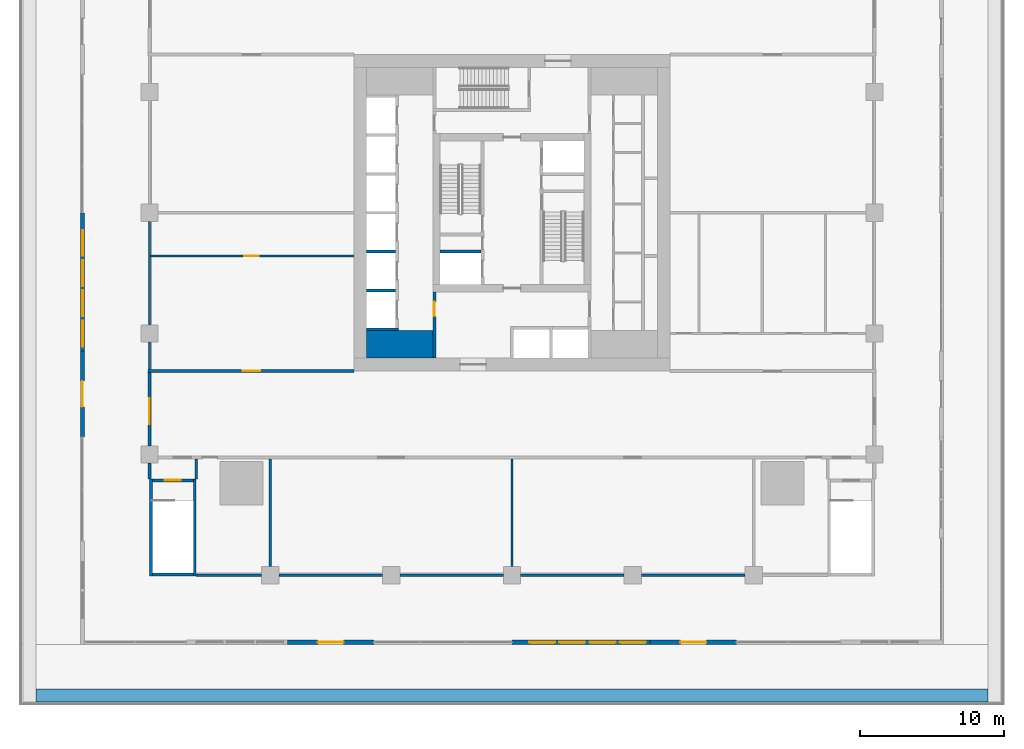
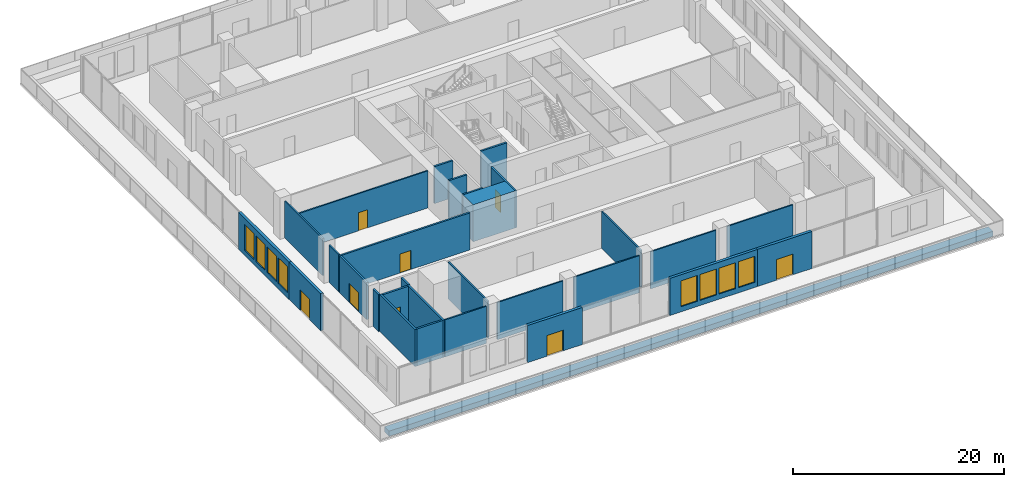
# One storey, part 12 of 22: 30 walls, 8 doors, 8 windows, 16 openings.
"""IFC4 building model written with IfcOpenShell, lengths in metres."""

from ifc_helpers import new_model, si_unit, direction, frame, frame_2d, origin, place, context, subcontext, project, spatial, rectangle, extrude, material, layer, layer_set, type_object, element, fill, save


model = new_model("IFC4")

# Units and contexts
model_context = context("Model", 3, precision=1e-05, world=origin(), true_north=direction((0.0, 1.0)))
body_context = subcontext(model_context, "Body", "Model", "MODEL_VIEW")
ifc_project = project(units=[si_unit("LENGTHUNIT", "METRE"), si_unit("AREAUNIT", "SQUARE_METRE"), si_unit("VOLUMEUNIT", "CUBIC_METRE"), si_unit("PLANEANGLEUNIT", "RADIAN"), si_unit("MASSUNIT", "GRAM", prefix="KILO")], contexts=[model_context])

# Site, building, storey
site_placement = place(None, origin())
site = spatial("IfcSite", under=ifc_project, at=site_placement, CompositionType="ELEMENT")
building_placement = place(site_placement, origin())
building = spatial("IfcBuilding", under=site, at=building_placement, Name="Khepri Terraces", CompositionType="ELEMENT")
storey_placement = place(building_placement, frame((0.0, 0.0, 22.199951171875)))
storey = spatial("IfcBuildingStorey", under=building, at=storey_placement, Name="L04", CompositionType="ELEMENT", Elevation=22.199951171875)

# Walls
ifc_material_1 = material(Name="Concrete C80/95", Category="concrete")
ifc_layer_1 = layer(ifc_material_1, 1.89990234375, Name="Concrete C80/95", Category="concrete")
ifc_layer_set_1 = layer_set([ifc_layer_1], Name="Concrete C80/95")
wall_type_1 = type_object("IfcWallType", Name="Core wall 1900 C80/95", PredefinedType="SHEAR", material=ifc_layer_set_1)
wall_1_placement = place(storey_placement, frame((-10.10009765625, -9.14990234375, 0.0), z_axis=(0.0, 0.0, 1.0), x_axis=(1.0, 0.0, 0.0)))
element("IfcWall", 1, at=wall_1_placement, inside=storey, type_object=wall_type_1, Name="Core wall PR01 L04", PredefinedType="SHEAR", context=body_context, shape_type="SweptSolid", body=[
    extrude(rectangle(XDim=4.60009765625, YDim=1.89990234375, at=frame_2d((2.300048828125, 0.0))), origin(), (0.0, 0.0, 1.0), 4.300048828125),
])
ifc_layer_2 = layer(ifc_material_1, 0.199951171875, Name="Concrete C80/95", Category="concrete")
ifc_layer_set_2 = layer_set([ifc_layer_2], Name="Concrete C80/95")
wall_type_2 = type_object("IfcWallType", Name="Core wall 200 C80/95", PredefinedType="SHEAR", material=ifc_layer_set_2)
wall_2_placement = place(storey_placement, frame((-10.10009765625, -8.10009765625, 0.0), z_axis=(0.0, 0.0, 1.0), x_axis=(1.0, 0.0, 0.0)))
element("IfcWall", 2, at=wall_2_placement, inside=storey, type_object=wall_type_2, Name="Core wall SH04 L04", PredefinedType="SHEAR", context=body_context, shape_type="SweptSolid", body=[
    extrude(rectangle(XDim=2.2001953125, YDim=0.199951171875, at=frame_2d((1.10009765625, 0.0))), origin(), (0.0, 0.0, 1.0), 4.300048828125),
])
for number, where, z_axis, x_axis, name in (
    (3, (-10.10009765625, -5.39990234375, 0.0), (0.0, 0.0, 1.0), (1.0, 0.0, 0.0), "Core wall SH09 L04"),
    (4, (-10.10009765625, -2.699951171875, 0.0), (0.0, 0.0, 1.0), (1.0, 0.0, 0.0), "Core wall SH12 L04"),
):
    element("IfcWall", number, at=place(storey_placement, frame(where, z_axis=z_axis, x_axis=x_axis)), inside=storey, type_object=wall_type_2, Name=name, PredefinedType="SHEAR", context=body_context, shape_type="SweptSolid", body=[
        extrude(rectangle(XDim=2.0, YDim=0.199951171875, at=frame_2d((1.0, 0.0))), origin(), (0.0, 0.0, 1.0), 4.300048828125),
    ])
wall_3_placement = place(storey_placement, frame((-5.0, -2.699951171875, 0.0), z_axis=(0.0, 0.0, 1.0), x_axis=(1.0, 0.0, 0.0)))
element("IfcWall", 5, at=wall_3_placement, inside=storey, type_object=wall_type_2, Name="Core wall SH13 L04", PredefinedType="SHEAR", context=body_context, shape_type="SweptSolid", body=[
    extrude(rectangle(XDim=2.85009765625, YDim=0.199951171875, at=frame_2d((1.425048828125, 0.0))), origin(), (0.0, 0.0, 1.0), 4.300048828125),
])

# Wall, opening, door
ifc_material_2 = material(Name="Fire-rated gypsum board partition")
ifc_layer_3 = layer(ifc_material_2, 0.199951171875, Name="Fire-rated gypsum board partition")
ifc_layer_set_3 = layer_set([ifc_layer_3], Name="Fire-rated gypsum board partition")
wall_type_3 = type_object("IfcWallType", Name="WL-CORE-PART-200", PredefinedType="PARTITIONING", material=ifc_layer_set_3)
wall_4_placement = place(storey_placement, frame((-5.39990234375, -10.10009765625, 0.0), z_axis=(0.0, 0.0, 1.0), x_axis=(0.0, 1.0, 0.0)))
wall_4 = element("IfcWall", 6, at=wall_4_placement, inside=storey, type_object=wall_type_3, Name="Core partition PT01 L04", PredefinedType="PARTITIONING", context=body_context, shape_type="SweptSolid", body=[
    extrude(rectangle(XDim=4.60009765625, YDim=0.199951171875, at=frame_2d((2.300048828125, 0.0))), origin(), (0.0, 0.0, 1.0), 4.300048828125),
])
opening_1_placement = place(wall_4_placement, frame((2.89990234375, 0.0, 0.0)))
opening_1 = element("IfcOpeningElement", 7, at=opening_1_placement, cuts=wall_4, Name="Opening L04-C18", PredefinedType="OPENING", context=body_context, shape_type="SweptSolid", body=[
    extrude(rectangle(XDim=1.0, YDim=2.10009765625, at=frame_2d((0.5, 1.050048828125))), frame((0.0, 0.10986328125, 0.0), z_axis=(0.0, -1.0, 0.0), x_axis=(1.0, 0.0, 0.0)), (0.0, 0.0, 1.0), 0.219970703125),
])
ifc_material_3 = material(Name="Painted steel", Category="steel")
door_type_1 = type_object("IfcDoorType", Name="DR-CORE-LOBBY-1000", OperationType="NOTDEFINED", PredefinedType="DOOR", material=ifc_material_3)
door_1_placement = place(opening_1_placement, frame((1.0, 0.0, 0.0), z_axis=(0.0, 0.0, 1.0), x_axis=(-1.0, 0.0, 0.0)))
door_1 = element("IfcDoor", 8, at=door_1_placement, inside=storey, type_object=door_type_1, Name="Lobby door L04-C18", OperationType="SINGLE_SWING_LEFT", OverallHeight=2.10009765625, OverallWidth=1.0, PredefinedType="DOOR", context=body_context, shape_type="SweptSolid", body=[
    extrude(rectangle(XDim=1.0, YDim=2.10009765625, at=frame_2d((0.5, 1.050048828125))), frame((0.0, 0.02490234375, 0.0), z_axis=(0.0, -1.0, 0.0), x_axis=(1.0, 0.0, 0.0)), (0.0, 0.0, 1.0), 0.050048828125),
])
fill(opening_1, door_1)

ifc_material_4 = material(Name="Precast concrete C50/60 warm stone", Category="masonry")
ifc_layer_4 = layer(ifc_material_4, 0.300048828125, Name="Precast concrete C50/60 warm stone", Category="masonry")
ifc_layer_set_4 = layer_set([ifc_layer_4], Name="Precast concrete C50/60 warm stone")
wall_type_4 = type_object("IfcWallType", Name="WL-EXT-PRECAST-300", PredefinedType="STANDARD", material=ifc_layer_set_4)
wall_5_placement = place(storey_placement, frame((-15.60009765625, -29.85009765625, 0.0), z_axis=(0.0, 0.0, 1.0), x_axis=(1.0, 0.0, 0.0)))
wall_5 = element("IfcWall", 9, at=wall_5_placement, inside=storey, type_object=wall_type_4, Name="External wall L04 S", PredefinedType="STANDARD", context=body_context, shape_type="SweptSolid", body=[
    extrude(rectangle(XDim=6.0, YDim=0.300048828125, at=frame_2d((3.0, 0.0))), origin(), (0.0, 0.0, 1.0), 4.300048828125),
])
opening_2_placement = place(wall_5_placement, frame((2.10009765625, 0.0, 0.0)))
opening_2 = element("IfcOpeningElement", 10, at=opening_2_placement, cuts=wall_5, Name="Opening ED-L04-01", PredefinedType="OPENING", context=body_context, shape_type="SweptSolid", body=[
    extrude(rectangle(XDim=1.800048828125, YDim=2.39990234375, at=frame_2d((0.89990234375, 1.199951171875))), frame((0.0, 0.16015625, 0.0), z_axis=(0.0, -1.0, 0.0), x_axis=(1.0, 0.0, 0.0)), (0.0, 0.0, 1.0), 0.320068359375),
])
ifc_material_5 = material(Name="Anodised aluminium bronze glazed door", Category="aluminium")
door_type_2 = type_object("IfcDoorType", Name="DR-BAL-SLIDE-1800x2400", OperationType="NOTDEFINED", PredefinedType="DOOR", material=ifc_material_5)
door_2_placement = place(opening_2_placement, origin())
door_2 = element("IfcDoor", 11, at=door_2_placement, inside=storey, type_object=door_type_2, Name="Balcony door L04 S", OperationType="SLIDING_TO_RIGHT", OverallHeight=2.39990234375, OverallWidth=1.800048828125, PredefinedType="DOOR", context=body_context, shape_type="SweptSolid", body=[
    extrude(rectangle(XDim=1.800048828125, YDim=2.39990234375, at=frame_2d((0.89990234375, 1.199951171875))), frame((0.0, 0.02490234375, 0.0), z_axis=(0.0, -1.0, 0.0), x_axis=(1.0, 0.0, 0.0)), (0.0, 0.0, 1.0), 0.050048828125),
])
fill(opening_2, door_2)

# Wall, openings, windows
wall_6_placement = place(storey_placement, frame((0.0, -29.85009765625, 0.0), z_axis=(0.0, 0.0, 1.0), x_axis=(1.0, 0.0, 0.0)))
wall_6 = element("IfcWall", 12, at=wall_6_placement, inside=storey, type_object=wall_type_4, Name="External wall L04 S", PredefinedType="STANDARD", context=body_context, shape_type="SweptSolid", body=[
    extrude(rectangle(XDim=9.60009765625, YDim=0.300048828125, at=frame_2d((4.800048828125, 0.0))), origin(), (0.0, 0.0, 1.0), 4.300048828125),
])
opening_3_placement = place(wall_6_placement, frame((1.199951171875, 0.0, 0.60009765625)))
opening_3 = element("IfcOpeningElement", 13, at=opening_3_placement, cuts=wall_6, Name="Opening WP1", PredefinedType="OPENING", context=body_context, shape_type="SweptSolid", body=[
    extrude(rectangle(XDim=1.800048828125, YDim=3.0, at=frame_2d((0.89990234375, 1.5))), frame((0.0, 0.16015625, 0.0), z_axis=(0.0, -1.0, 0.0), x_axis=(1.0, 0.0, 0.0)), (0.0, 0.0, 1.0), 0.320068359375),
])
opening_4_placement = place(wall_6_placement, frame((3.300048828125, 0.0, 0.60009765625)))
opening_4 = element("IfcOpeningElement", 14, at=opening_4_placement, cuts=wall_6, Name="Opening WP1", PredefinedType="OPENING", context=body_context, shape_type="SweptSolid", body=[
    extrude(rectangle(XDim=1.800048828125, YDim=3.0, at=frame_2d((0.89990234375, 1.5))), frame((0.0, 0.16015625, 0.0), z_axis=(0.0, -1.0, 0.0), x_axis=(1.0, 0.0, 0.0)), (0.0, 0.0, 1.0), 0.320068359375),
])
opening_5_placement = place(wall_6_placement, frame((5.39990234375, 0.0, 0.60009765625)))
opening_5 = element("IfcOpeningElement", 15, at=opening_5_placement, cuts=wall_6, Name="Opening WP1", PredefinedType="OPENING", context=body_context, shape_type="SweptSolid", body=[
    extrude(rectangle(XDim=1.800048828125, YDim=3.0, at=frame_2d((0.89990234375, 1.5))), frame((0.0, 0.16015625, 0.0), z_axis=(0.0, -1.0, 0.0), x_axis=(1.0, 0.0, 0.0)), (0.0, 0.0, 1.0), 0.320068359375),
])
opening_6_placement = place(wall_6_placement, frame((7.5, 0.0, 0.60009765625)))
opening_6 = element("IfcOpeningElement", 16, at=opening_6_placement, cuts=wall_6, Name="Opening WP1", PredefinedType="OPENING", context=body_context, shape_type="SweptSolid", body=[
    extrude(rectangle(XDim=1.800048828125, YDim=3.0, at=frame_2d((0.89990234375, 1.5))), frame((0.0, 0.16015625, 0.0), z_axis=(0.0, -1.0, 0.0), x_axis=(1.0, 0.0, 0.0)), (0.0, 0.0, 1.0), 0.320068359375),
])
ifc_material_6 = material(Name="Clear glass", Category="glass")
window_type = type_object("IfcWindowType", Name="WIN-POD-1800x3000", PartitioningType="SINGLE_PANEL", PredefinedType="WINDOW", material=ifc_material_6)
window_1_placement = place(opening_3_placement, origin())
window_1 = element("IfcWindow", 17, at=window_1_placement, inside=storey, type_object=window_type, Name="Window L04 S", OverallHeight=3.0, OverallWidth=1.800048828125, PartitioningType="SINGLE_PANEL", PredefinedType="WINDOW", context=body_context, shape_type="SweptSolid", body=[
    extrude(rectangle(XDim=1.800048828125, YDim=3.0, at=frame_2d((0.89990234375, 1.5))), frame((0.0, 0.030029296875, 0.0), z_axis=(0.0, -1.0, 0.0), x_axis=(1.0, 0.0, 0.0)), (0.0, 0.0, 1.0), 0.06005859375),
])
fill(opening_3, window_1)
window_2_placement = place(opening_4_placement, origin())
window_2 = element("IfcWindow", 18, at=window_2_placement, inside=storey, type_object=window_type, Name="Window L04 S", OverallHeight=3.0, OverallWidth=1.800048828125, PartitioningType="SINGLE_PANEL", PredefinedType="WINDOW", context=body_context, shape_type="SweptSolid", body=[
    extrude(rectangle(XDim=1.800048828125, YDim=3.0, at=frame_2d((0.89990234375, 1.5))), frame((0.0, 0.030029296875, 0.0), z_axis=(0.0, -1.0, 0.0), x_axis=(1.0, 0.0, 0.0)), (0.0, 0.0, 1.0), 0.06005859375),
])
fill(opening_4, window_2)
window_3_placement = place(opening_5_placement, origin())
window_3 = element("IfcWindow", 19, at=window_3_placement, inside=storey, type_object=window_type, Name="Window L04 S", OverallHeight=3.0, OverallWidth=1.800048828125, PartitioningType="SINGLE_PANEL", PredefinedType="WINDOW", context=body_context, shape_type="SweptSolid", body=[
    extrude(rectangle(XDim=1.800048828125, YDim=3.0, at=frame_2d((0.89990234375, 1.5))), frame((0.0, 0.030029296875, 0.0), z_axis=(0.0, -1.0, 0.0), x_axis=(1.0, 0.0, 0.0)), (0.0, 0.0, 1.0), 0.06005859375),
])
fill(opening_5, window_3)
window_4_placement = place(opening_6_placement, origin())
window_4 = element("IfcWindow", 20, at=window_4_placement, inside=storey, type_object=window_type, Name="Window L04 S", OverallHeight=3.0, OverallWidth=1.800048828125, PartitioningType="SINGLE_PANEL", PredefinedType="WINDOW", context=body_context, shape_type="SweptSolid", body=[
    extrude(rectangle(XDim=1.800048828125, YDim=3.0, at=frame_2d((0.89990234375, 1.5))), frame((0.0, 0.030029296875, 0.0), z_axis=(0.0, -1.0, 0.0), x_axis=(1.0, 0.0, 0.0)), (0.0, 0.0, 1.0), 0.06005859375),
])
fill(opening_6, window_4)

# Wall, opening, door
wall_7_placement = place(storey_placement, frame((9.60009765625, -29.85009765625, 0.0), z_axis=(0.0, 0.0, 1.0), x_axis=(1.0, 0.0, 0.0)))
wall_7 = element("IfcWall", 21, at=wall_7_placement, inside=storey, type_object=wall_type_4, Name="External wall L04 S", PredefinedType="STANDARD", context=body_context, shape_type="SweptSolid", body=[
    extrude(rectangle(XDim=6.0, YDim=0.300048828125, at=frame_2d((3.0, 0.0))), origin(), (0.0, 0.0, 1.0), 4.300048828125),
])
opening_7_placement = place(wall_7_placement, frame((2.10009765625, 0.0, 0.0)))
opening_7 = element("IfcOpeningElement", 22, at=opening_7_placement, cuts=wall_7, Name="Opening ED-L04-02", PredefinedType="OPENING", context=body_context, shape_type="SweptSolid", body=[
    extrude(rectangle(XDim=1.800048828125, YDim=2.39990234375, at=frame_2d((0.89990234375, 1.199951171875))), frame((0.0, 0.16015625, 0.0), z_axis=(0.0, -1.0, 0.0), x_axis=(1.0, 0.0, 0.0)), (0.0, 0.0, 1.0), 0.320068359375),
])
door_3_placement = place(opening_7_placement, origin())
door_3 = element("IfcDoor", 23, at=door_3_placement, inside=storey, type_object=door_type_2, Name="Balcony door L04 S", OperationType="SLIDING_TO_RIGHT", OverallHeight=2.39990234375, OverallWidth=1.800048828125, PredefinedType="DOOR", context=body_context, shape_type="SweptSolid", body=[
    extrude(rectangle(XDim=1.800048828125, YDim=2.39990234375, at=frame_2d((0.89990234375, 1.199951171875))), frame((0.0, 0.02490234375, 0.0), z_axis=(0.0, -1.0, 0.0), x_axis=(1.0, 0.0, 0.0)), (0.0, 0.0, 1.0), 0.050048828125),
])
fill(opening_7, door_3)

# Wall, openings, windows
wall_8_placement = place(storey_placement, frame((-29.85009765625, 0.0, 0.0), z_axis=(0.0, 0.0, 1.0), x_axis=(0.0, -1.0, 0.0)))
wall_8 = element("IfcWall", 24, at=wall_8_placement, inside=storey, type_object=wall_type_4, Name="External wall L04 W", PredefinedType="STANDARD", context=body_context, shape_type="SweptSolid", body=[
    extrude(rectangle(XDim=9.60009765625, YDim=0.300048828125, at=frame_2d((4.800048828125, 0.0))), origin(), (0.0, 0.0, 1.0), 4.300048828125),
])
opening_8_placement = place(wall_8_placement, frame((1.199951171875, 0.0, 0.60009765625)))
opening_8 = element("IfcOpeningElement", 25, at=opening_8_placement, cuts=wall_8, Name="Opening WP1", PredefinedType="OPENING", context=body_context, shape_type="SweptSolid", body=[
    extrude(rectangle(XDim=1.800048828125, YDim=3.0, at=frame_2d((0.89990234375, 1.5))), frame((0.0, 0.16015625, 0.0), z_axis=(0.0, -1.0, 0.0), x_axis=(1.0, 0.0, 0.0)), (0.0, 0.0, 1.0), 0.320068359375),
])
opening_9_placement = place(wall_8_placement, frame((3.300048828125, 0.0, 0.60009765625)))
opening_9 = element("IfcOpeningElement", 26, at=opening_9_placement, cuts=wall_8, Name="Opening WP1", PredefinedType="OPENING", context=body_context, shape_type="SweptSolid", body=[
    extrude(rectangle(XDim=1.800048828125, YDim=3.0, at=frame_2d((0.89990234375, 1.5))), frame((0.0, 0.16015625, 0.0), z_axis=(0.0, -1.0, 0.0), x_axis=(1.0, 0.0, 0.0)), (0.0, 0.0, 1.0), 0.320068359375),
])
opening_10_placement = place(wall_8_placement, frame((5.39990234375, 0.0, 0.60009765625)))
opening_10 = element("IfcOpeningElement", 27, at=opening_10_placement, cuts=wall_8, Name="Opening WP1", PredefinedType="OPENING", context=body_context, shape_type="SweptSolid", body=[
    extrude(rectangle(XDim=1.800048828125, YDim=3.0, at=frame_2d((0.89990234375, 1.5))), frame((0.0, 0.16015625, 0.0), z_axis=(0.0, -1.0, 0.0), x_axis=(1.0, 0.0, 0.0)), (0.0, 0.0, 1.0), 0.320068359375),
])
opening_11_placement = place(wall_8_placement, frame((7.5, 0.0, 0.60009765625)))
opening_11 = element("IfcOpeningElement", 28, at=opening_11_placement, cuts=wall_8, Name="Opening WP1", PredefinedType="OPENING", context=body_context, shape_type="SweptSolid", body=[
    extrude(rectangle(XDim=1.800048828125, YDim=3.0, at=frame_2d((0.89990234375, 1.5))), frame((0.0, 0.16015625, 0.0), z_axis=(0.0, -1.0, 0.0), x_axis=(1.0, 0.0, 0.0)), (0.0, 0.0, 1.0), 0.320068359375),
])
window_5_placement = place(opening_8_placement, origin())
window_5 = element("IfcWindow", 29, at=window_5_placement, inside=storey, type_object=window_type, Name="Window L04 W", OverallHeight=3.0, OverallWidth=1.800048828125, PartitioningType="SINGLE_PANEL", PredefinedType="WINDOW", context=body_context, shape_type="SweptSolid", body=[
    extrude(rectangle(XDim=1.800048828125, YDim=3.0, at=frame_2d((0.89990234375, 1.5))), frame((0.0, 0.030029296875, 0.0), z_axis=(0.0, -1.0, 0.0), x_axis=(1.0, 0.0, 0.0)), (0.0, 0.0, 1.0), 0.06005859375),
])
fill(opening_8, window_5)
window_6_placement = place(opening_9_placement, origin())
window_6 = element("IfcWindow", 30, at=window_6_placement, inside=storey, type_object=window_type, Name="Window L04 W", OverallHeight=3.0, OverallWidth=1.800048828125, PartitioningType="SINGLE_PANEL", PredefinedType="WINDOW", context=body_context, shape_type="SweptSolid", body=[
    extrude(rectangle(XDim=1.800048828125, YDim=3.0, at=frame_2d((0.89990234375, 1.5))), frame((0.0, 0.030029296875, 0.0), z_axis=(0.0, -1.0, 0.0), x_axis=(1.0, 0.0, 0.0)), (0.0, 0.0, 1.0), 0.06005859375),
])
fill(opening_9, window_6)
window_7_placement = place(opening_10_placement, origin())
window_7 = element("IfcWindow", 31, at=window_7_placement, inside=storey, type_object=window_type, Name="Window L04 W", OverallHeight=3.0, OverallWidth=1.800048828125, PartitioningType="SINGLE_PANEL", PredefinedType="WINDOW", context=body_context, shape_type="SweptSolid", body=[
    extrude(rectangle(XDim=1.800048828125, YDim=3.0, at=frame_2d((0.89990234375, 1.5))), frame((0.0, 0.030029296875, 0.0), z_axis=(0.0, -1.0, 0.0), x_axis=(1.0, 0.0, 0.0)), (0.0, 0.0, 1.0), 0.06005859375),
])
fill(opening_10, window_7)
window_8_placement = place(opening_11_placement, origin())
window_8 = element("IfcWindow", 32, at=window_8_placement, inside=storey, type_object=window_type, Name="Window L04 W", OverallHeight=3.0, OverallWidth=1.800048828125, PartitioningType="SINGLE_PANEL", PredefinedType="WINDOW", context=body_context, shape_type="SweptSolid", body=[
    extrude(rectangle(XDim=1.800048828125, YDim=3.0, at=frame_2d((0.89990234375, 1.5))), frame((0.0, 0.030029296875, 0.0), z_axis=(0.0, -1.0, 0.0), x_axis=(1.0, 0.0, 0.0)), (0.0, 0.0, 1.0), 0.06005859375),
])
fill(opening_11, window_8)

# Wall, opening, door
wall_9_placement = place(storey_placement, frame((-29.85009765625, -9.60009765625, 0.0), z_axis=(0.0, 0.0, 1.0), x_axis=(0.0, -1.0, 0.0)))
wall_9 = element("IfcWall", 33, at=wall_9_placement, inside=storey, type_object=wall_type_4, Name="External wall L04 W", PredefinedType="STANDARD", context=body_context, shape_type="SweptSolid", body=[
    extrude(rectangle(XDim=6.0, YDim=0.300048828125, at=frame_2d((3.0, 0.0))), origin(), (0.0, 0.0, 1.0), 4.300048828125),
])
opening_12_placement = place(wall_9_placement, frame((2.10009765625, 0.0, 0.0)))
opening_12 = element("IfcOpeningElement", 34, at=opening_12_placement, cuts=wall_9, Name="Opening ED-L04-08", PredefinedType="OPENING", context=body_context, shape_type="SweptSolid", body=[
    extrude(rectangle(XDim=1.800048828125, YDim=2.39990234375, at=frame_2d((0.89990234375, 1.199951171875))), frame((0.0, 0.16015625, 0.0), z_axis=(0.0, -1.0, 0.0), x_axis=(1.0, 0.0, 0.0)), (0.0, 0.0, 1.0), 0.320068359375),
])
door_4_placement = place(opening_12_placement, origin())
door_4 = element("IfcDoor", 35, at=door_4_placement, inside=storey, type_object=door_type_2, Name="Balcony door L04 W", OperationType="SLIDING_TO_RIGHT", OverallHeight=2.39990234375, OverallWidth=1.800048828125, PredefinedType="DOOR", context=body_context, shape_type="SweptSolid", body=[
    extrude(rectangle(XDim=1.800048828125, YDim=2.39990234375, at=frame_2d((0.89990234375, 1.199951171875))), frame((0.0, 0.02490234375, 0.0), z_axis=(0.0, -1.0, 0.0), x_axis=(1.0, 0.0, 0.0)), (0.0, 0.0, 1.0), 0.050048828125),
])
fill(opening_12, door_4)

# Walls
ifc_layer_5 = layer(ifc_material_4, 0.89990234375, Name="Precast concrete C50/60 warm stone", Category="masonry")
ifc_layer_set_5 = layer_set([ifc_layer_5], Name="Precast concrete C50/60 warm stone")
wall_type_5 = type_object("IfcWallType", Name="WL-PLANTER-900", PredefinedType="MOVABLE", material=ifc_layer_set_5)
wall_10_placement = place(storey_placement, frame((-33.10009765625, -33.550048828125, 0.0), z_axis=(0.0, 0.0, 1.0), x_axis=(1.0, 0.0, 0.0)))
element("IfcWall", 36, at=wall_10_placement, inside=storey, type_object=wall_type_5, Name="Planter L04", PredefinedType="MOVABLE", context=body_context, shape_type="SweptSolid", body=[
    extrude(rectangle(XDim=66.2001953125, YDim=0.89990234375, at=frame_2d((33.10009765625, 0.0))), origin(), (0.0, 0.0, 1.0), 0.60009765625),
])
ifc_material_7 = material(Name="Gypsum board partition")
ifc_layer_6 = layer(ifc_material_7, 0.14990234375, Name="Gypsum board partition")
ifc_layer_set_6 = layer_set([ifc_layer_6], Name="Gypsum board partition")
wall_type_6 = type_object("IfcWallType", Name="WL-POD-150", PredefinedType="PARTITIONING", material=ifc_layer_set_6)
wall_11_placement = place(storey_placement, frame((-21.949951171875, -25.199951171875, 0.0), z_axis=(0.0, 0.0, 1.0), x_axis=(1.0, 0.0, 0.0)))
element("IfcWall", 37, at=wall_11_placement, inside=storey, type_object=wall_type_6, Name="Partition L04-PW001", PredefinedType="PARTITIONING", context=body_context, shape_type="SweptSolid", body=[
    extrude(rectangle(XDim=4.550048828125, YDim=0.14990234375, at=frame_2d((2.27490234375, 0.0))), origin(), (0.0, 0.0, 1.0), 4.300048828125),
])
for number, where, z_axis, x_axis, name in (
    (38, (-16.199951171875, -25.199951171875, 0.0), (0.0, 0.0, 1.0), (1.0, 0.0, 0.0), "Partition L04-PW002"),
    (39, (-7.800048828125, -25.199951171875, 0.0), (0.0, 0.0, 1.0), (1.0, 0.0, 0.0), "Partition L04-PW003"),
    (40, (0.60009765625, -25.199951171875, 0.0), (0.0, 0.0, 1.0), (1.0, 0.0, 0.0), "Partition L04-PW004"),
    (41, (9.0, -25.199951171875, 0.0), (0.0, 0.0, 1.0), (1.0, 0.0, 0.0), "Partition L04-PW005"),
):
    element("IfcWall", number, at=place(storey_placement, frame(where, z_axis=z_axis, x_axis=x_axis)), inside=storey, type_object=wall_type_6, Name=name, PredefinedType="PARTITIONING", context=body_context, shape_type="SweptSolid", body=[
        extrude(rectangle(XDim=7.199951171875, YDim=0.14990234375, at=frame_2d((3.60009765625, 0.0))), origin(), (0.0, 0.0, 1.0), 4.300048828125),
    ])

# Wall, opening, door
wall_12_placement = place(storey_placement, frame((-25.125, -3.0, 0.0), z_axis=(0.0, 0.0, 1.0), x_axis=(1.0, 0.0, 0.0)))
wall_12 = element("IfcWall", 42, at=wall_12_placement, inside=storey, type_object=wall_type_6, Name="Partition L04-PW011", PredefinedType="PARTITIONING", context=body_context, shape_type="SweptSolid", body=[
    extrude(rectangle(XDim=14.125, YDim=0.14990234375, at=frame_2d((7.0625, 0.0))), origin(), (0.0, 0.0, 1.0), 4.300048828125),
])
opening_13_placement = place(wall_12_placement, frame((6.52490234375, 0.0, 0.0)))
opening_13 = element("IfcOpeningElement", 43, at=opening_13_placement, cuts=wall_12, Name="Opening L04-P15", PredefinedType="OPENING", context=body_context, shape_type="SweptSolid", body=[
    extrude(rectangle(XDim=1.0, YDim=2.10009765625, at=frame_2d((0.5, 1.050048828125))), frame((0.0, 0.0849609375, 0.0), z_axis=(0.0, -1.0, 0.0), x_axis=(1.0, 0.0, 0.0)), (0.0, 0.0, 1.0), 0.169921875),
])
ifc_material_8 = material(Name="Timber veneer", Category="wood")
door_type_3 = type_object("IfcDoorType", Name="DR-POD-SINGLE-1000", OperationType="NOTDEFINED", PredefinedType="DOOR", material=ifc_material_8)
door_5_placement = place(opening_13_placement, origin())
door_5 = element("IfcDoor", 44, at=door_5_placement, inside=storey, type_object=door_type_3, Name="Door L04-P15", OperationType="SINGLE_SWING_RIGHT", OverallHeight=2.10009765625, OverallWidth=1.0, PredefinedType="DOOR", context=body_context, shape_type="SweptSolid", body=[
    extrude(rectangle(XDim=1.0, YDim=2.10009765625, at=frame_2d((0.5, 1.050048828125))), frame((0.0, 0.02490234375, 0.0), z_axis=(0.0, -1.0, 0.0), x_axis=(1.0, 0.0, 0.0)), (0.0, 0.0, 1.0), 0.050048828125),
])
fill(opening_13, door_5)

# Walls
wall_13_placement = place(storey_placement, frame((-25.199951171875, -10.89990234375, 0.0), z_axis=(0.0, 0.0, 1.0), x_axis=(0.0, 1.0, 0.0)))
element("IfcWall", 45, at=wall_13_placement, inside=storey, type_object=wall_type_6, Name="Partition L04-PW025", PredefinedType="PARTITIONING", context=body_context, shape_type="SweptSolid", body=[
    extrude(rectangle(XDim=1.89990234375, YDim=0.14990234375, at=frame_2d((0.949951171875, 0.0))), origin(), (0.0, 0.0, 1.0), 4.300048828125),
])
wall_14_placement = place(storey_placement, frame((-25.199951171875, -7.800048828125, 0.0), z_axis=(0.0, 0.0, 1.0), x_axis=(0.0, 1.0, 0.0)))
element("IfcWall", 46, at=wall_14_placement, inside=storey, type_object=wall_type_6, Name="Partition L04-PW026", PredefinedType="PARTITIONING", context=body_context, shape_type="SweptSolid", body=[
    extrude(rectangle(XDim=7.199951171875, YDim=0.14990234375, at=frame_2d((3.60009765625, 0.0))), origin(), (0.0, 0.0, 1.0), 4.300048828125),
])
for number, where, z_axis, x_axis, name in (
    (47, (-16.800048828125, -24.60009765625, 0.0), (0.0, 0.0, 1.0), (0.0, 1.0, 0.0), "Partition L04-PW033"),
    (48, (0.0, -24.60009765625, 0.0), (0.0, 0.0, 1.0), (0.0, 1.0, 0.0), "Partition L04-PW035"),
):
    element("IfcWall", number, at=place(storey_placement, frame(where, z_axis=z_axis, x_axis=x_axis)), inside=storey, type_object=wall_type_6, Name=name, PredefinedType="PARTITIONING", context=body_context, shape_type="SweptSolid", body=[
        extrude(rectangle(XDim=7.5, YDim=0.14990234375, at=frame_2d((3.75, 0.0))), origin(), (0.0, 0.0, 1.0), 4.300048828125),
    ])

# Wall, opening, door
ifc_material_9 = material(Name="Fire-rated block wall")
ifc_layer_7 = layer(ifc_material_9, 0.199951171875, Name="Fire-rated block wall")
ifc_layer_set_7 = layer_set([ifc_layer_7], Name="Fire-rated block wall")
wall_type_7 = type_object("IfcWallType", Name="WL-POD-200-EI60", PredefinedType="PARTITIONING", material=ifc_layer_set_7)
wall_15_placement = place(storey_placement, frame((-25.300048828125, -11.0, 0.0), z_axis=(0.0, 0.0, 1.0), x_axis=(1.0, 0.0, 0.0)))
wall_15 = element("IfcWall", 49, at=wall_15_placement, inside=storey, type_object=wall_type_7, Name="Partition L04-PW008", PredefinedType="PARTITIONING", context=body_context, shape_type="SweptSolid", body=[
    extrude(rectangle(XDim=14.300048828125, YDim=0.199951171875, at=frame_2d((7.14990234375, 0.0))), origin(), (0.0, 0.0, 1.0), 4.300048828125),
])
opening_14_placement = place(wall_15_placement, frame((6.60009765625, 0.0, 0.0)))
opening_14 = element("IfcOpeningElement", 50, at=opening_14_placement, cuts=wall_15, Name="Opening L04-P09", PredefinedType="OPENING", context=body_context, shape_type="SweptSolid", body=[
    extrude(rectangle(XDim=1.199951171875, YDim=2.199951171875, at=frame_2d((0.60009765625, 1.10009765625))), frame((0.0, 0.10986328125, 0.0), z_axis=(0.0, -1.0, 0.0), x_axis=(1.0, 0.0, 0.0)), (0.0, 0.0, 1.0), 0.219970703125),
])
door_type_4 = type_object("IfcDoorType", Name="DR-POD-SINGLE-1200", OperationType="NOTDEFINED", PredefinedType="DOOR", material=ifc_material_8)
door_6_placement = place(opening_14_placement, origin())
door_6 = element("IfcDoor", 51, at=door_6_placement, inside=storey, type_object=door_type_4, Name="Door L04-P09", OperationType="SINGLE_SWING_RIGHT", OverallHeight=2.199951171875, OverallWidth=1.199951171875, PredefinedType="DOOR", context=body_context, shape_type="SweptSolid", body=[
    extrude(rectangle(XDim=1.199951171875, YDim=2.199951171875, at=frame_2d((0.60009765625, 1.10009765625))), frame((0.0, 0.02490234375, 0.0), z_axis=(0.0, -1.0, 0.0), x_axis=(1.0, 0.0, 0.0)), (0.0, 0.0, 1.0), 0.050048828125),
])
fill(opening_14, door_6)

# Wall
wall_16_placement = place(storey_placement, frame((-25.199951171875, -18.5, 0.0), z_axis=(0.0, 0.0, 1.0), x_axis=(0.0, 1.0, 0.0)))
element("IfcWall", 52, at=wall_16_placement, inside=storey, type_object=wall_type_7, Name="Partition L04-PW023", PredefinedType="PARTITIONING", context=body_context, shape_type="SweptSolid", body=[
    extrude(rectangle(XDim=1.10009765625, YDim=0.199951171875, at=frame_2d((0.550048828125, 0.0))), origin(), (0.0, 0.0, 1.0), 4.300048828125),
])

# Wall, opening, door
wall_17_placement = place(storey_placement, frame((-25.199951171875, -16.199951171875, 0.0), z_axis=(0.0, 0.0, 1.0), x_axis=(0.0, 1.0, 0.0)))
wall_17 = element("IfcWall", 53, at=wall_17_placement, inside=storey, type_object=wall_type_7, Name="Partition L04-PW024", PredefinedType="PARTITIONING", context=body_context, shape_type="SweptSolid", body=[
    extrude(rectangle(XDim=5.099853515625, YDim=0.199951171875, at=frame_2d((2.5498046875, 0.0))), origin(), (0.0, 0.0, 1.0), 4.300048828125),
])
opening_15_placement = place(wall_17_placement, frame((1.5, 0.0, 0.0)))
opening_15 = element("IfcOpeningElement", 54, at=opening_15_placement, cuts=wall_17, Name="Opening L04-P07", PredefinedType="OPENING", context=body_context, shape_type="SweptSolid", body=[
    extrude(rectangle(XDim=1.800048828125, YDim=2.199951171875, at=frame_2d((0.89990234375, 1.10009765625))), frame((0.0, 0.10986328125, 0.0), z_axis=(0.0, -1.0, 0.0), x_axis=(1.0, 0.0, 0.0)), (0.0, 0.0, 1.0), 0.219970703125),
])
door_type_5 = type_object("IfcDoorType", Name="DR-POD-FIRE-PAIR-1800", OperationType="DOUBLE_DOOR_SINGLE_SWING", PredefinedType="DOOR", material=ifc_material_3)
door_7_placement = place(opening_15_placement, origin())
door_7 = element("IfcDoor", 55, at=door_7_placement, inside=storey, type_object=door_type_5, Name="Fire door pair L04-P07", OperationType="DOUBLE_DOOR_SINGLE_SWING", OverallHeight=2.199951171875, OverallWidth=1.800048828125, PredefinedType="DOOR", context=body_context, shape_type="SweptSolid", body=[
    extrude(rectangle(XDim=1.800048828125, YDim=2.199951171875, at=frame_2d((0.89990234375, 1.10009765625))), frame((0.0, 0.02490234375, 0.0), z_axis=(0.0, -1.0, 0.0), x_axis=(1.0, 0.0, 0.0)), (0.0, 0.0, 1.0), 0.050048828125),
])
fill(opening_15, door_7)

# Walls
wall_18_placement = place(storey_placement, frame((-21.949951171875, -18.5, 0.0), z_axis=(0.0, 0.0, 1.0), x_axis=(0.0, 1.0, 0.0)))
element("IfcWall", 56, at=wall_18_placement, inside=storey, type_object=wall_type_7, Name="Partition L04-PW031", PredefinedType="PARTITIONING", context=body_context, shape_type="SweptSolid", body=[
    extrude(rectangle(XDim=1.39990234375, YDim=0.199951171875, at=frame_2d((0.699951171875, 0.0))), origin(), (0.0, 0.0, 1.0), 4.300048828125),
])
ifc_material_10 = material(Name="Concrete C40/50", Category="concrete")
ifc_layer_8 = layer(ifc_material_10, 0.199951171875, Name="Concrete C40/50", Category="concrete")
ifc_layer_set_8 = layer_set([ifc_layer_8], Name="Concrete C40/50")
wall_type_8 = type_object("IfcWallType", Name="WL-POD-STAIR-200", PredefinedType="SOLIDWALL", material=ifc_layer_set_8)
for number, where, z_axis, x_axis, name in (
    (57, (-25.10009765625, -25.239990234375, 0.0), (0.0, 0.0, 1.0), (0.0, 1.0, 0.0), "Stair enclosure PS-4 L04-W"),
    (58, (-22.050048828125, -25.239990234375, 0.0), (0.0, 0.0, 1.0), (0.0, 1.0, 0.0), "Stair enclosure PS-4 L04-E"),
):
    element("IfcWall", number, at=place(storey_placement, frame(where, z_axis=z_axis, x_axis=x_axis)), inside=storey, type_object=wall_type_8, Name=name, PredefinedType="SOLIDWALL", context=body_context, shape_type="SweptSolid", body=[
        extrude(rectangle(XDim=6.739990234375, YDim=0.199951171875, at=frame_2d((3.3701171875, 0.0))), origin(), (0.0, 0.0, 1.0), 4.300048828125),
    ])
wall_19_placement = place(storey_placement, frame((-25.0, -25.139892578125, 0.0), z_axis=(0.0, 0.0, 1.0), x_axis=(1.0, 0.0, 0.0)))
element("IfcWall", 59, at=wall_19_placement, inside=storey, type_object=wall_type_8, Name="Stair enclosure PS-4 L04-S", PredefinedType="SOLIDWALL", context=body_context, shape_type="SweptSolid", body=[
    extrude(rectangle(XDim=2.85009765625, YDim=0.199951171875, at=frame_2d((1.425048828125, 0.0))), origin(), (0.0, 0.0, 1.0), 4.300048828125),
])

# Wall, opening, door
wall_20_placement = place(storey_placement, frame((-25.0, -18.60009765625, 0.0), z_axis=(0.0, 0.0, 1.0), x_axis=(1.0, 0.0, 0.0)))
wall_20 = element("IfcWall", 60, at=wall_20_placement, inside=storey, type_object=wall_type_8, Name="Stair enclosure PS-4 L04-N", PredefinedType="SOLIDWALL", context=body_context, shape_type="SweptSolid", body=[
    extrude(rectangle(XDim=2.85009765625, YDim=0.199951171875, at=frame_2d((1.425048828125, 0.0))), origin(), (0.0, 0.0, 1.0), 4.300048828125),
])
opening_16_placement = place(wall_20_placement, frame((0.875, 0.0, 0.0)))
opening_16 = element("IfcOpeningElement", 61, at=opening_16_placement, cuts=wall_20, Name="Opening L04-PS-4D", PredefinedType="OPENING", context=body_context, shape_type="SweptSolid", body=[
    extrude(rectangle(XDim=1.10009765625, YDim=2.199951171875, at=frame_2d((0.550048828125, 1.10009765625))), frame((0.0, 0.10986328125, 0.0), z_axis=(0.0, -1.0, 0.0), x_axis=(1.0, 0.0, 0.0)), (0.0, 0.0, 1.0), 0.219970703125),
])
door_type_6 = type_object("IfcDoorType", Name="DR-POD-STAIR-1100", OperationType="NOTDEFINED", PredefinedType="DOOR", material=ifc_material_3)
door_8_placement = place(opening_16_placement, origin())
door_8 = element("IfcDoor", 62, at=door_8_placement, inside=storey, type_object=door_type_6, Name="Stair door L04-PS-4D", OperationType="SINGLE_SWING_RIGHT", OverallHeight=2.199951171875, OverallWidth=1.10009765625, PredefinedType="DOOR", context=body_context, shape_type="SweptSolid", body=[
    extrude(rectangle(XDim=1.10009765625, YDim=2.199951171875, at=frame_2d((0.550048828125, 1.10009765625))), frame((0.0, 0.02490234375, 0.0), z_axis=(0.0, -1.0, 0.0), x_axis=(1.0, 0.0, 0.0)), (0.0, 0.0, 1.0), 0.050048828125),
])
fill(opening_16, door_8)

save(model, "model.ifc")
